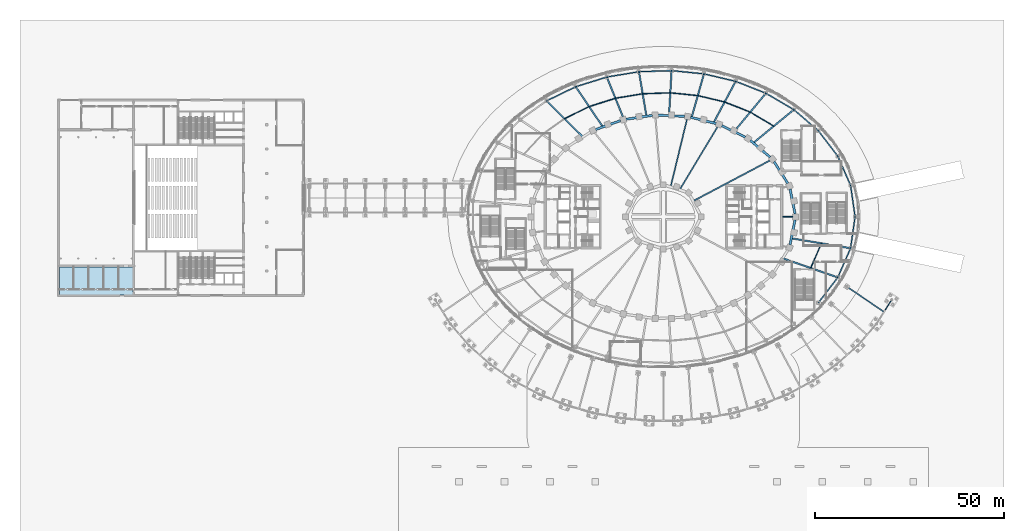
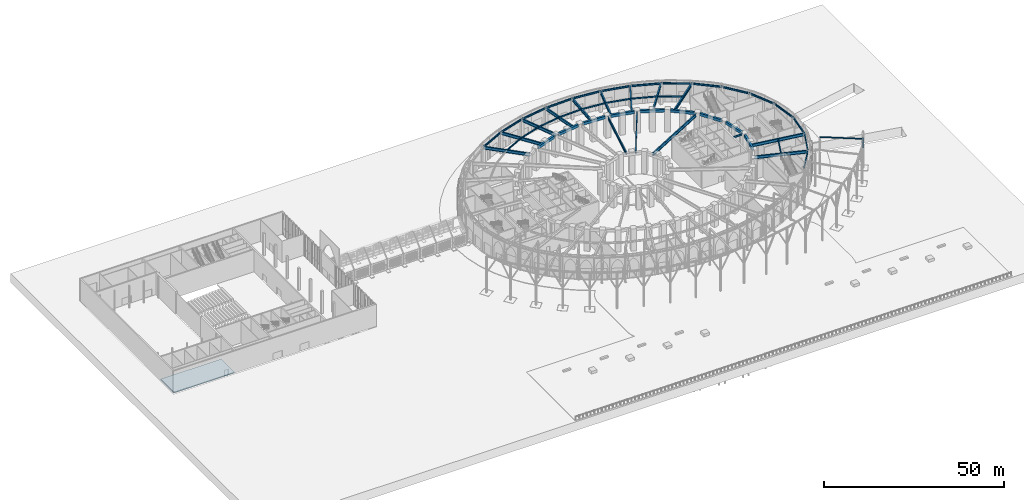
# One storey, part 32 of 79: 49 beams, 1 member, 1 slab.
"""IFC4 building model written with IfcOpenShell, lengths in metres."""

from ifc_helpers import new_model, si_unit, direction, frame, origin, origin_2d, place, context, subcontext, project, spatial, polyline, rectangle, hollow_circle, i_section, outline, extrude, material, layer, layer_set, material_profile, profile_set, type_object, element, save


model = new_model("IFC4")

# Units and contexts
model_context = context("Model", 3, precision=1e-05, world=origin(), true_north=direction((0.0, 1.0)))
body_context = subcontext(model_context, "Body", "Model", "MODEL_VIEW")
ifc_project = project(units=[si_unit("LENGTHUNIT", "METRE"), si_unit("AREAUNIT", "SQUARE_METRE"), si_unit("VOLUMEUNIT", "CUBIC_METRE"), si_unit("PLANEANGLEUNIT", "RADIAN"), si_unit("MASSUNIT", "GRAM", prefix="KILO")], contexts=[model_context])

# Site, building, storey
site_placement = place(None, origin())
site = spatial("IfcSite", under=ifc_project, at=site_placement, CompositionType="ELEMENT")
building_placement = place(site_placement, origin())
building = spatial("IfcBuilding", under=site, at=building_placement, Name="Noorbagh Ring Tower", CompositionType="ELEMENT")
storey_placement = place(building_placement, origin())
storey = spatial("IfcBuildingStorey", under=building, at=storey_placement, Name="L00", CompositionType="ELEMENT", Elevation=0.0)

# Member
ifc_material_1 = material(Name="Steel S355", Category="steel")
ifc_material_profile_1 = material_profile(ifc_material_1, hollow_circle(Radius=0.136474609375, WallThickness=0.012451171875, at=origin_2d()), Name="CHS273x12.5")
ifc_profile_set_1 = profile_set([ifc_material_profile_1], Name="Steel S355")
member_type = type_object("IfcMemberType", Name="GND-CANOPY-BRANCH", PredefinedType="BRACE", material=ifc_profile_set_1)
member_placement = place(storey_placement, frame((60.191162109375, -22.11572265625, 6.873291015625), z_axis=(-0.252065375815, -0.399302517912, 0.881487688799), x_axis=(0.845609054179, -0.533802704649, 0.0)))
element("IfcMember", 1, at=member_placement, inside=storey, type_object=member_type, Name="Canopy branch 20.1", PredefinedType="BRACE", context=body_context, shape_type="SweptSolid", body=[
    extrude(hollow_circle(Radius=0.136474609375, WallThickness=0.012451171875, at=origin_2d()), origin(), (0.0, 0.0, 1.0), 5.929443359375),
])

# Beams
ifc_material_2 = material(Name="Steel S355", Category="steel")
ifc_material_profile_2 = material_profile(ifc_material_2, i_section(OverallWidth=0.300048828125, OverallDepth=0.300048828125, WebThickness=0.010986328125, FlangeThickness=0.01904296875, FilletRadius=0.027099609375, at=origin_2d()), Name="HEB300")
ifc_profile_set_2 = profile_set([ifc_material_profile_2], Name="Steel S355")
beam_type_1 = type_object("IfcBeamType", Name="GND-CANOPY-LINK", PredefinedType="BEAM", material=ifc_profile_set_2)
beam_1_placement = place(storey_placement, frame((48.478759765625, -18.452392578125, 12.300048828125), z_axis=(0.826651628831, -0.562714034436, 0.0), x_axis=(0.562714034436, 0.826651628831, 0.0)))
element("IfcBeam", 2, at=beam_1_placement, inside=storey, type_object=beam_type_1, Name="Canopy link beam", PredefinedType="BEAM", context=body_context, shape_type="SweptSolid", body=[
    extrude(i_section(OverallWidth=0.300048828125, OverallDepth=0.300048828125, WebThickness=0.010986328125, FlangeThickness=0.01904296875, FilletRadius=0.027099609375, at=origin_2d()), origin(), (0.0, 0.0, 1.0), 11.716796875),
])
ifc_material_3 = material(Name="Steel S355", Category="steel")
ifc_material_profile_3 = material_profile(ifc_material_3, i_section(OverallWidth=0.300048828125, OverallDepth=0.60009765625, WebThickness=0.015380859375, FlangeThickness=0.030029296875, FilletRadius=0.027099609375, at=origin_2d()), Name="HEB600")
ifc_profile_set_3 = profile_set([ifc_material_profile_3], Name="Steel S355")
beam_type_2 = type_object("IfcBeamType", Name="GND-EDGE-BEAM-HEB600", PredefinedType="BEAM", material=ifc_profile_set_3)
beam_2_placement = place(storey_placement, frame((50.646484375, 0.0, 6.949951171875), z_axis=(-0.14132764164, 0.989962876934, 0.0), x_axis=(-0.989962876934, -0.14132764164, 0.0)))
element("IfcBeam", 3, at=beam_2_placement, inside=storey, type_object=beam_type_2, Name="L00/bm/ERP-01", PredefinedType="BEAM", context=body_context, shape_type="SweptSolid", body=[
    extrude(i_section(OverallWidth=0.300048828125, OverallDepth=0.60009765625, WebThickness=0.015380859375, FlangeThickness=0.030029296875, FilletRadius=0.027099609375, at=origin_2d()), origin(), (0.0, 0.0, 1.0), 8.388671875),
])
beam_3_placement = place(storey_placement, frame((49.4609375, 8.304443359375, 6.949951171875), z_axis=(-0.401171506371, 0.916002959862, 0.0), x_axis=(-0.916002959862, -0.401171506371, 0.0)))
element("IfcBeam", 4, at=beam_3_placement, inside=storey, type_object=beam_type_2, Name="L00/bm/ERP-02", PredefinedType="BEAM", context=body_context, shape_type="SweptSolid", body=[
    extrude(i_section(OverallWidth=0.300048828125, OverallDepth=0.60009765625, WebThickness=0.015380859375, FlangeThickness=0.030029296875, FilletRadius=0.027099609375, at=origin_2d()), origin(), (0.0, 0.0, 1.0), 8.42431640625),
])
beam_4_placement = place(storey_placement, frame((46.081298828125, 16.021240234375, 6.949951171875), z_axis=(-0.608048680374, 0.793899743227, 0.0), x_axis=(-0.793899743227, -0.608048680374, 0.0)))
element("IfcBeam", 5, at=beam_4_placement, inside=storey, type_object=beam_type_2, Name="L00/bm/ERP-03", PredefinedType="BEAM", context=body_context, shape_type="SweptSolid", body=[
    extrude(i_section(OverallWidth=0.300048828125, OverallDepth=0.60009765625, WebThickness=0.015380859375, FlangeThickness=0.030029296875, FilletRadius=0.027099609375, at=origin_2d()), origin(), (0.0, 0.0, 1.0), 8.4755859375),
])
beam_5_placement = place(storey_placement, frame((40.927734375, 22.75, 6.949951171875), z_axis=(-0.758254861469, 0.651958254076, 0.0), x_axis=(-0.651958254076, -0.758254861469, 0.0)))
element("IfcBeam", 6, at=beam_5_placement, inside=storey, type_object=beam_type_2, Name="L00/bm/ERP-04", PredefinedType="BEAM", context=body_context, shape_type="SweptSolid", body=[
    extrude(i_section(OverallWidth=0.300048828125, OverallDepth=0.60009765625, WebThickness=0.015380859375, FlangeThickness=0.030029296875, FilletRadius=0.027099609375, at=origin_2d()), origin(), (0.0, 0.0, 1.0), 8.5234375),
])
beam_6_placement = place(storey_placement, frame((34.46484375, 28.306884765625, 6.949951171875), z_axis=(-0.8618652907, 0.507137279922, 0.0), x_axis=(-0.507137279922, -0.8618652907, 0.0)))
element("IfcBeam", 7, at=beam_6_placement, inside=storey, type_object=beam_type_2, Name="L00/bm/ERP-05", PredefinedType="BEAM", context=body_context, shape_type="SweptSolid", body=[
    extrude(i_section(OverallWidth=0.300048828125, OverallDepth=0.60009765625, WebThickness=0.015380859375, FlangeThickness=0.030029296875, FilletRadius=0.027099609375, at=origin_2d()), origin(), (0.0, 0.0, 1.0), 8.560302734375),
])
beam_7_placement = place(storey_placement, frame((27.0869140625, 32.648193359375, 6.949951171875), z_axis=(-0.930571668723, 0.366109777758, 0.0), x_axis=(-0.366109777758, -0.930571668723, 0.0)))
element("IfcBeam", 8, at=beam_7_placement, inside=storey, type_object=beam_type_2, Name="L00/bm/ERP-06", PredefinedType="BEAM", context=body_context, shape_type="SweptSolid", body=[
    extrude(i_section(OverallWidth=0.300048828125, OverallDepth=0.60009765625, WebThickness=0.015380859375, FlangeThickness=0.030029296875, FilletRadius=0.027099609375, at=origin_2d()), origin(), (0.0, 0.0, 1.0), 8.58642578125),
])
beam_8_placement = place(storey_placement, frame((19.0966796875, 35.791748046875, 6.949951171875), z_axis=(-0.973167977411, 0.230095822957, 0.0), x_axis=(-0.230095822957, -0.973167977411, 0.0)))
element("IfcBeam", 9, at=beam_8_placement, inside=storey, type_object=beam_type_2, Name="L00/bm/ERP-07", PredefinedType="BEAM", context=body_context, shape_type="SweptSolid", body=[
    extrude(i_section(OverallWidth=0.300048828125, OverallDepth=0.60009765625, WebThickness=0.015380859375, FlangeThickness=0.030029296875, FilletRadius=0.027099609375, at=origin_2d()), origin(), (0.0, 0.0, 1.0), 8.602783203125),
])
beam_9_placement = place(storey_placement, frame((10.724609375, 37.771240234375, 6.949951171875), z_axis=(-0.9951967317, 0.097895174616, 0.0), x_axis=(-0.097895174616, -0.9951967317, 0.0)))
element("IfcBeam", 10, at=beam_9_placement, inside=storey, type_object=beam_type_2, Name="L00/bm/ERP-08", PredefinedType="BEAM", context=body_context, shape_type="SweptSolid", body=[
    extrude(i_section(OverallWidth=0.300048828125, OverallDepth=0.60009765625, WebThickness=0.015380859375, FlangeThickness=0.030029296875, FilletRadius=0.027099609375, at=origin_2d()), origin(), (0.0, 0.0, 1.0), 8.611328125),
])
beam_10_placement = place(storey_placement, frame((2.154541015625, 38.6142578125, 6.949951171875), z_axis=(-0.999468589483, -0.032596604688, 0.0), x_axis=(0.032596604688, -0.999468589483, 0.0)))
element("IfcBeam", 11, at=beam_10_placement, inside=storey, type_object=beam_type_2, Name="L00/bm/ERP-09", PredefinedType="BEAM", context=body_context, shape_type="SweptSolid", body=[
    extrude(i_section(OverallWidth=0.300048828125, OverallDepth=0.60009765625, WebThickness=0.015380859375, FlangeThickness=0.030029296875, FilletRadius=0.027099609375, at=origin_2d()), origin(), (0.0, 0.0, 1.0), 8.61328125),
])
beam_11_placement = place(storey_placement, frame((-6.4541015625, 38.33349609375, 6.949951171875), z_axis=(-0.986523163949, -0.163621658075, 0.0), x_axis=(0.163621658075, -0.986523163949, 0.0)))
element("IfcBeam", 12, at=beam_11_placement, inside=storey, type_object=beam_type_2, Name="L00/bm/ERP-10", PredefinedType="BEAM", context=body_context, shape_type="SweptSolid", body=[
    extrude(i_section(OverallWidth=0.300048828125, OverallDepth=0.60009765625, WebThickness=0.015380859375, FlangeThickness=0.030029296875, FilletRadius=0.027099609375, at=origin_2d()), origin(), (0.0, 0.0, 1.0), 8.60791015625),
])
beam_12_placement = place(storey_placement, frame((-14.946044921875, 36.925048828125, 6.949951171875), z_axis=(-0.954717204091, -0.297514806713, 0.0), x_axis=(0.297514806713, -0.954717204091, 0.0)))
element("IfcBeam", 13, at=beam_12_placement, inside=storey, type_object=beam_type_2, Name="L00/bm/ERP-11", PredefinedType="BEAM", context=body_context, shape_type="SweptSolid", body=[
    extrude(i_section(OverallWidth=0.300048828125, OverallDepth=0.60009765625, WebThickness=0.015380859375, FlangeThickness=0.030029296875, FilletRadius=0.027099609375, at=origin_2d()), origin(), (0.0, 0.0, 1.0), 8.595703125),
])
beam_13_placement = place(storey_placement, frame((-23.152587890625, 34.36767578125, 6.949951171875), z_axis=(-0.89994920641, -0.435994754421, 0.0), x_axis=(0.435994754421, -0.89994920641, 0.0)))
element("IfcBeam", 14, at=beam_13_placement, inside=storey, type_object=beam_type_2, Name="L00/bm/ERP-12", PredefinedType="BEAM", context=body_context, shape_type="SweptSolid", body=[
    extrude(i_section(OverallWidth=0.300048828125, OverallDepth=0.60009765625, WebThickness=0.015380859375, FlangeThickness=0.030029296875, FilletRadius=0.027099609375, at=origin_2d()), origin(), (0.0, 0.0, 1.0), 8.57470703125),
])
beam_14_placement = place(storey_placement, frame((40.927734375, -22.75, 6.949951171875), z_axis=(0.608048680374, 0.793899743227, 0.0), x_axis=(-0.793899743227, 0.608048680374, 0.0)))
element("IfcBeam", 15, at=beam_14_placement, inside=storey, type_object=beam_type_2, Name="L00/bm/ERP-31", PredefinedType="BEAM", context=body_context, shape_type="SweptSolid", body=[
    extrude(i_section(OverallWidth=0.300048828125, OverallDepth=0.60009765625, WebThickness=0.015380859375, FlangeThickness=0.030029296875, FilletRadius=0.027099609375, at=origin_2d()), origin(), (0.0, 0.0, 1.0), 8.4755859375),
])
beam_15_placement = place(storey_placement, frame((46.081298828125, -16.021240234375, 6.949951171875), z_axis=(0.401171506371, 0.916002959862, 0.0), x_axis=(-0.916002959862, 0.401171506371, 0.0)))
element("IfcBeam", 16, at=beam_15_placement, inside=storey, type_object=beam_type_2, Name="L00/bm/ERP-32", PredefinedType="BEAM", context=body_context, shape_type="SweptSolid", body=[
    extrude(i_section(OverallWidth=0.300048828125, OverallDepth=0.60009765625, WebThickness=0.015380859375, FlangeThickness=0.030029296875, FilletRadius=0.027099609375, at=origin_2d()), origin(), (0.0, 0.0, 1.0), 8.42431640625),
])
beam_16_placement = place(storey_placement, frame((49.4609375, -8.304443359375, 6.949951171875), z_axis=(0.14132764164, 0.989962876934, 0.0), x_axis=(-0.989962876934, 0.14132764164, 0.0)))
element("IfcBeam", 17, at=beam_16_placement, inside=storey, type_object=beam_type_2, Name="L00/bm/ERP-33", PredefinedType="BEAM", context=body_context, shape_type="SweptSolid", body=[
    extrude(i_section(OverallWidth=0.300048828125, OverallDepth=0.60009765625, WebThickness=0.015380859375, FlangeThickness=0.030029296875, FilletRadius=0.027099609375, at=origin_2d()), origin(), (0.0, 0.0, 1.0), 8.388671875),
])
ifc_material_4 = material(Name="Steel S355", Category="steel")
ifc_material_profile_4 = material_profile(ifc_material_4, i_section(OverallWidth=0.39990234375, OverallDepth=1.0, WebThickness=0.01611328125, FlangeThickness=0.0400390625, at=origin_2d()), Name="PG1000x400x16x40")
ifc_profile_set_4 = profile_set([ifc_material_profile_4], Name="Steel S355")
beam_type_3 = type_object("IfcBeamType", Name="GND-GIRDER-PG1000x400x16x40", PredefinedType="BEAM", material=ifc_profile_set_4)
beam_17_placement = place(storey_placement, frame((34.46484375, 28.306884765625, 6.75), z_axis=(-0.772763025599, -0.63469465593, 0.0), x_axis=(0.63469465593, -0.772763025599, 0.0)))
element("IfcBeam", 18, at=beam_17_placement, inside=storey, type_object=beam_type_3, Name="L00/bm/GRP-05", PredefinedType="BEAM", context=body_context, shape_type="SweptSolid", body=[
    extrude(i_section(OverallWidth=0.39990234375, OverallDepth=1.0, WebThickness=0.01611328125, FlangeThickness=0.0400390625, at=origin_2d()), origin(), (0.0, 0.0, 1.0), 13.723388671875),
])
beam_18_placement = place(storey_placement, frame((27.0869140625, 32.648193359375, 6.75), z_axis=(-0.638516852805, -0.769607840841, 0.0), x_axis=(0.769607840841, -0.638516852805, 0.0)))
element("IfcBeam", 19, at=beam_18_placement, inside=storey, type_object=beam_type_3, Name="L00/bm/GRP-06", PredefinedType="BEAM", context=body_context, shape_type="SweptSolid", body=[
    extrude(i_section(OverallWidth=0.39990234375, OverallDepth=1.0, WebThickness=0.01611328125, FlangeThickness=0.0400390625, at=origin_2d()), origin(), (0.0, 0.0, 1.0), 12.943603515625),
])
beam_19_placement = place(storey_placement, frame((19.0966796875, 35.791748046875, 6.75), z_axis=(-0.470746944877, -0.88226827773, 0.0), x_axis=(0.88226827773, -0.470746944877, 0.0)))
element("IfcBeam", 20, at=beam_19_placement, inside=storey, type_object=beam_type_3, Name="L00/bm/GRP-07", PredefinedType="BEAM", context=body_context, shape_type="SweptSolid", body=[
    extrude(i_section(OverallWidth=0.39990234375, OverallDepth=1.0, WebThickness=0.01611328125, FlangeThickness=0.0400390625, at=origin_2d()), origin(), (0.0, 0.0, 1.0), 12.375),
])
beam_20_placement = place(storey_placement, frame((10.724609375, 37.771240234375, 6.75), z_axis=(-0.273130016452, -0.961977127645, 0.0), x_axis=(0.961977127645, -0.273130016452, 0.0)))
element("IfcBeam", 21, at=beam_20_placement, inside=storey, type_object=beam_type_3, Name="L00/bm/GRP-08", PredefinedType="BEAM", context=body_context, shape_type="SweptSolid", body=[
    extrude(i_section(OverallWidth=0.39990234375, OverallDepth=1.0, WebThickness=0.01611328125, FlangeThickness=0.0400390625, at=origin_2d()), origin(), (0.0, 0.0, 1.0), 11.939208984375),
])
beam_21_placement = place(storey_placement, frame((2.154541015625, 38.6142578125, 6.75), z_axis=(-0.055716608816, -0.998446623261, 0.0), x_axis=(0.998446623261, -0.055716608816, 0.0)))
element("IfcBeam", 22, at=beam_21_placement, inside=storey, type_object=beam_type_3, Name="L00/bm/GRP-09", PredefinedType="BEAM", context=body_context, shape_type="SweptSolid", body=[
    extrude(i_section(OverallWidth=0.39990234375, OverallDepth=1.0, WebThickness=0.01611328125, FlangeThickness=0.0400390625, at=origin_2d()), origin(), (0.0, 0.0, 1.0), 11.734619140625),
])
beam_22_placement = place(storey_placement, frame((-6.4541015625, 38.33349609375, 6.75), z_axis=(0.166032765637, -0.986120236449, 0.0), x_axis=(0.986120236449, 0.166032765637, 0.0)))
element("IfcBeam", 23, at=beam_22_placement, inside=storey, type_object=beam_type_3, Name="L00/bm/GRP-10", PredefinedType="BEAM", context=body_context, shape_type="SweptSolid", body=[
    extrude(i_section(OverallWidth=0.39990234375, OverallDepth=1.0, WebThickness=0.01611328125, FlangeThickness=0.0400390625, at=origin_2d()), origin(), (0.0, 0.0, 1.0), 11.82373046875),
])
beam_23_placement = place(storey_placement, frame((-14.946044921875, 36.925048828125, 6.75), z_axis=(0.375201842514, -0.926943135998, 0.0), x_axis=(0.926943135998, 0.375201842514, 0.0)))
element("IfcBeam", 24, at=beam_23_placement, inside=storey, type_object=beam_type_3, Name="L00/bm/GRP-11", PredefinedType="BEAM", context=body_context, shape_type="SweptSolid", body=[
    extrude(i_section(OverallWidth=0.39990234375, OverallDepth=1.0, WebThickness=0.01611328125, FlangeThickness=0.0400390625, at=origin_2d()), origin(), (0.0, 0.0, 1.0), 12.094970703125),
])
beam_24_placement = place(storey_placement, frame((-23.152587890625, 34.36767578125, 6.75), z_axis=(0.558711358029, -0.829362175656, 0.0), x_axis=(0.829362175656, 0.558711358029, 0.0)))
element("IfcBeam", 25, at=beam_24_placement, inside=storey, type_object=beam_type_3, Name="L00/bm/GRP-12", PredefinedType="BEAM", context=body_context, shape_type="SweptSolid", body=[
    extrude(i_section(OverallWidth=0.39990234375, OverallDepth=1.0, WebThickness=0.01611328125, FlangeThickness=0.0400390625, at=origin_2d()), origin(), (0.0, 0.0, 1.0), 12.6630859375),
])
beam_25_placement = place(storey_placement, frame((-30.869384765625, 30.629150390625, 6.75), z_axis=(0.70986613718, -0.704336615039, 0.0), x_axis=(0.704336615039, 0.70986613718, 0.0)))
element("IfcBeam", 26, at=beam_25_placement, inside=storey, type_object=beam_type_3, Name="L00/bm/GRP-13", PredefinedType="BEAM", context=body_context, shape_type="SweptSolid", body=[
    extrude(i_section(OverallWidth=0.39990234375, OverallDepth=1.0, WebThickness=0.01611328125, FlangeThickness=0.0400390625, at=origin_2d()), origin(), (0.0, 0.0, 1.0), 13.333984375),
])
beam_26_placement = place(storey_placement, frame((46.081298828125, -16.021240234375, 6.75), z_axis=(-0.94453989429, 0.328396693185, 0.0), x_axis=(-0.328396693185, -0.94453989429, 0.0)))
element("IfcBeam", 27, at=beam_26_placement, inside=storey, type_object=beam_type_3, Name="L00/bm/GRP-32", PredefinedType="BEAM", context=body_context, shape_type="SweptSolid", body=[
    extrude(i_section(OverallWidth=0.39990234375, OverallDepth=1.0, WebThickness=0.01611328125, FlangeThickness=0.0400390625, at=origin_2d()), origin(), (0.0, 0.0, 1.0), 15.12890625),
])
beam_27_placement = place(storey_placement, frame((49.4609375, -8.304443359375, 6.75), z_axis=(-0.986194768087, 0.165589490602, 0.0), x_axis=(-0.165589490602, -0.986194768087, 0.0)))
element("IfcBeam", 28, at=beam_27_placement, inside=storey, type_object=beam_type_3, Name="L00/bm/GRP-33", PredefinedType="BEAM", context=body_context, shape_type="SweptSolid", body=[
    extrude(i_section(OverallWidth=0.39990234375, OverallDepth=1.0, WebThickness=0.01611328125, FlangeThickness=0.0400390625, at=origin_2d()), origin(), (0.0, 0.0, 1.0), 15.62841796875),
])
ifc_material_5 = material(Name="Steel S355", Category="steel")
ifc_material_profile_5 = material_profile(ifc_material_5, i_section(OverallWidth=0.199951171875, OverallDepth=0.5, WebThickness=0.01025390625, FlangeThickness=0.01611328125, FilletRadius=0.02099609375, at=origin_2d()), Name="IPE500")
ifc_profile_set_5 = profile_set([ifc_material_profile_5], Name="Steel S355")
beam_type_4 = type_object("IfcBeamType", Name="GND-MID-BEAM-IPE500", PredefinedType="JOIST", material=ifc_profile_set_5)
beam_28_placement = place(storey_placement, frame((29.162353515625, 23.951904296875, 7.0), z_axis=(-0.858046251749, 0.513572419293, 0.0), x_axis=(-0.513572419293, -0.858046251749, 0.0)))
element("IfcBeam", 29, at=beam_28_placement, inside=storey, type_object=beam_type_4, Name="L00/bm/MRP-05", PredefinedType="JOIST", context=body_context, shape_type="SweptSolid", body=[
    extrude(i_section(OverallWidth=0.199951171875, OverallDepth=0.5, WebThickness=0.01025390625, FlangeThickness=0.01611328125, FilletRadius=0.02099609375, at=origin_2d()), origin(), (0.0, 0.0, 1.0), 7.23486328125),
])
beam_29_placement = place(storey_placement, frame((22.95458984375, 27.66748046875, 7.0), z_axis=(-0.930496782909, 0.36630006415, 0.0), x_axis=(-0.36630006415, -0.930496782909, 0.0)))
element("IfcBeam", 30, at=beam_29_placement, inside=storey, type_object=beam_type_4, Name="L00/bm/MRP-06", PredefinedType="JOIST", context=body_context, shape_type="SweptSolid", body=[
    extrude(i_section(OverallWidth=0.199951171875, OverallDepth=0.5, WebThickness=0.01025390625, FlangeThickness=0.01611328125, FilletRadius=0.02099609375, at=origin_2d()), origin(), (0.0, 0.0, 1.0), 7.276123046875),
])
beam_30_placement = place(storey_placement, frame((16.18408203125, 30.332763671875, 7.0), z_axis=(-0.972568186564, 0.23261797541, 0.0), x_axis=(-0.23261797541, -0.972568186564, 0.0)))
element("IfcBeam", 31, at=beam_30_placement, inside=storey, type_object=beam_type_4, Name="L00/bm/MRP-07", PredefinedType="JOIST", context=body_context, shape_type="SweptSolid", body=[
    extrude(i_section(OverallWidth=0.199951171875, OverallDepth=0.5, WebThickness=0.01025390625, FlangeThickness=0.01611328125, FilletRadius=0.02099609375, at=origin_2d()), origin(), (0.0, 0.0, 1.0), 7.2900390625),
])
beam_31_placement = place(storey_placement, frame((9.093994140625, 32.028564453125, 7.0), z_axis=(-0.99502493545, 0.099626190493, 0.0), x_axis=(-0.099626190493, -0.99502493545, 0.0)))
element("IfcBeam", 32, at=beam_31_placement, inside=storey, type_object=beam_type_4, Name="L00/bm/MRP-08", PredefinedType="JOIST", context=body_context, shape_type="SweptSolid", body=[
    extrude(i_section(OverallWidth=0.199951171875, OverallDepth=0.5, WebThickness=0.01025390625, FlangeThickness=0.01611328125, FilletRadius=0.02099609375, at=origin_2d()), origin(), (0.0, 0.0, 1.0), 7.302734375),
])
beam_32_placement = place(storey_placement, frame((1.82763671875, 32.756103515625, 7.0), z_axis=(-0.999402620435, -0.034560125398, 0.0), x_axis=(0.034560125398, -0.999402620435, 0.0)))
element("IfcBeam", 33, at=beam_32_placement, inside=storey, type_object=beam_type_4, Name="L00/bm/MRP-09", PredefinedType="JOIST", context=body_context, shape_type="SweptSolid", body=[
    extrude(i_section(OverallWidth=0.199951171875, OverallDepth=0.5, WebThickness=0.01025390625, FlangeThickness=0.01611328125, FilletRadius=0.02099609375, at=origin_2d()), origin(), (0.0, 0.0, 1.0), 7.304443359375),
])
beam_33_placement = place(storey_placement, frame((-5.472412109375, 32.503662109375, 7.0), z_axis=(-0.986756598534, -0.162207938309, 0.0), x_axis=(0.162207938309, -0.986756598534, 0.0)))
element("IfcBeam", 34, at=beam_33_placement, inside=storey, type_object=beam_type_4, Name="L00/bm/MRP-10", PredefinedType="JOIST", context=body_context, shape_type="SweptSolid", body=[
    extrude(i_section(OverallWidth=0.199951171875, OverallDepth=0.5, WebThickness=0.01025390625, FlangeThickness=0.01611328125, FilletRadius=0.02099609375, at=origin_2d()), origin(), (0.0, 0.0, 1.0), 7.30126953125),
])
beam_34_placement = place(storey_placement, frame((-12.677001953125, 31.3193359375, 7.0), z_axis=(-0.9531202752, -0.302591706765, 0.0), x_axis=(0.302591706765, -0.9531202752, 0.0)))
element("IfcBeam", 35, at=beam_34_placement, inside=storey, type_object=beam_type_4, Name="L00/bm/MRP-11", PredefinedType="JOIST", context=body_context, shape_type="SweptSolid", body=[
    extrude(i_section(OverallWidth=0.199951171875, OverallDepth=0.5, WebThickness=0.01025390625, FlangeThickness=0.01611328125, FilletRadius=0.02099609375, at=origin_2d()), origin(), (0.0, 0.0, 1.0), 7.279296875),
])
beam_35_placement = place(storey_placement, frame((-19.614990234375, 29.11669921875, 7.0), z_axis=(-0.898658812704, -0.438648308271, 0.0), x_axis=(0.438648308271, -0.898658812704, 0.0)))
element("IfcBeam", 36, at=beam_35_placement, inside=storey, type_object=beam_type_4, Name="L00/bm/MRP-12", PredefinedType="JOIST", context=body_context, shape_type="SweptSolid", body=[
    extrude(i_section(OverallWidth=0.199951171875, OverallDepth=0.5, WebThickness=0.01025390625, FlangeThickness=0.01611328125, FilletRadius=0.02099609375, at=origin_2d()), origin(), (0.0, 0.0, 1.0), 7.257080078125),
])
beam_36_placement = place(storey_placement, frame((38.936279296875, -13.537109375, 7.0), z_axis=(0.396441936779, 0.918059796943, 0.0), x_axis=(-0.918059796943, 0.396441936779, 0.0)))
element("IfcBeam", 37, at=beam_36_placement, inside=storey, type_object=beam_type_4, Name="L00/bm/MRP-32", PredefinedType="JOIST", context=body_context, shape_type="SweptSolid", body=[
    extrude(i_section(OverallWidth=0.199951171875, OverallDepth=0.5, WebThickness=0.01025390625, FlangeThickness=0.01611328125, FilletRadius=0.02099609375, at=origin_2d()), origin(), (0.0, 0.0, 1.0), 7.109130859375),
])
ifc_material_6 = material(Name="Steel S355", Category="steel")
ifc_material_profile_6 = material_profile(ifc_material_6, i_section(OverallWidth=0.219970703125, OverallDepth=0.60009765625, WebThickness=0.011962890625, FlangeThickness=0.01904296875, FilletRadius=0.02392578125, at=origin_2d()), Name="IPE600")
ifc_profile_set_6 = profile_set([ifc_material_profile_6], Name="Steel S355")
beam_type_5 = type_object("IfcBeamType", Name="STR-RAD-IPE600", PredefinedType="BEAM", material=ifc_profile_set_6)
beam_37_placement = place(storey_placement, frame((34.164794921875, 0.0, 6.949951171875), z_axis=(-1.0, 0.0, 0.0), x_axis=(0.0, -1.0, 0.0)))
element("IfcBeam", 38, at=beam_37_placement, inside=storey, type_object=beam_type_5, Name="L00/bm/RD01", PredefinedType="BEAM", context=body_context, shape_type="SweptSolid", body=[
    extrude(i_section(OverallWidth=0.219970703125, OverallDepth=0.60009765625, WebThickness=0.011962890625, FlangeThickness=0.01904296875, FilletRadius=0.02392578125, at=origin_2d()), origin(), (0.0, 0.0, 1.0), 2.684814453125),
])
ifc_material_7 = material(Name="Steel S355", Category="steel")
ifc_material_profile_7 = material_profile(ifc_material_7, i_section(OverallWidth=0.35009765625, OverallDepth=1.050048828125, WebThickness=0.01806640625, FlangeThickness=0.033935546875, at=origin_2d()), Name="PG1050x350x18x34")
ifc_profile_set_7 = profile_set([ifc_material_profile_7], Name="Steel S355")
beam_type_6 = type_object("IfcBeamType", Name="STR-RAD-PG1050x350x18x34", PredefinedType="BEAM", material=ifc_profile_set_7)
beam_38_placement = place(storey_placement, frame((28.108642578125, 14.855224609375, 6.72509765625), z_axis=(-0.884121906441, -0.467256304988, 0.0), x_axis=(0.467256304988, -0.884121906441, 0.0)))
element("IfcBeam", 39, at=beam_38_placement, inside=storey, type_object=beam_type_6, Name="L00/bm/RD05", PredefinedType="BEAM", context=body_context, shape_type="SweptSolid", body=[
    extrude(i_section(OverallWidth=0.35009765625, OverallDepth=1.050048828125, WebThickness=0.01806640625, FlangeThickness=0.033935546875, at=origin_2d()), origin(), (0.0, 0.0, 1.0), 22.601806640625),
])
ifc_material_8 = material(Name="Steel S355", Category="steel")
ifc_material_profile_8 = material_profile(ifc_material_8, i_section(OverallWidth=0.320068359375, OverallDepth=0.949951171875, WebThickness=0.01611328125, FlangeThickness=0.030029296875, at=origin_2d()), Name="PG950x320x16x30")
ifc_profile_set_8 = profile_set([ifc_material_profile_8], Name="Steel S355")
beam_type_7 = type_object("IfcBeamType", Name="STR-RAD-PG950x320x16x30", PredefinedType="BEAM", material=ifc_profile_set_8)
beam_39_placement = place(storey_placement, frame((14.29931640625, 23.759033203125, 6.77490234375), z_axis=(-0.515655762899, -0.856795853275, 0.0), x_axis=(0.856795853275, -0.515655762899, 0.0)))
element("IfcBeam", 40, at=beam_39_placement, inside=storey, type_object=beam_type_7, Name="L00/bm/RD09", PredefinedType="BEAM", context=body_context, shape_type="SweptSolid", body=[
    extrude(i_section(OverallWidth=0.320068359375, OverallDepth=0.949951171875, WebThickness=0.01611328125, FlangeThickness=0.030029296875, at=origin_2d()), origin(), (0.0, 0.0, 1.0), 19.0888671875),
])
beam_40_placement = place(storey_placement, frame((6.22509765625, 25.729248046875, 6.77490234375), z_axis=(-0.235155855534, -0.971957675832, 0.0), x_axis=(0.971957675832, -0.235155855534, 0.0)))
element("IfcBeam", 41, at=beam_40_placement, inside=storey, type_object=beam_type_7, Name="L00/bm/RD11", PredefinedType="BEAM", context=body_context, shape_type="SweptSolid", body=[
    extrude(i_section(OverallWidth=0.320068359375, OverallDepth=0.949951171875, WebThickness=0.01611328125, FlangeThickness=0.030029296875, at=origin_2d()), origin(), (0.0, 0.0, 1.0), 18.029541015625),
])
ifc_material_9 = material(Name="Concrete C40/50", Category="concrete")
ifc_material_profile_9 = material_profile(ifc_material_9, rectangle(XDim=0.60009765625, YDim=0.89990234375, at=origin_2d()), Name="RC600x900")
ifc_profile_set_9 = profile_set([ifc_material_profile_9], Name="Concrete C40/50")
beam_type_8 = type_object("IfcBeamType", Name="STR-SB-RC600x900-C40-50", PredefinedType="BEAM", material=ifc_profile_set_9)
beam_41_placement = place(storey_placement, frame((34.78759765625, 0.7802734375, 6.800048828125), z_axis=(-0.197212569156, 0.980360751238, 0.0), x_axis=(-0.980360751238, -0.197212569156, 0.0)))
element("IfcBeam", 42, at=beam_41_placement, inside=storey, type_object=beam_type_8, Name="L00/bm/SP01", PredefinedType="BEAM", context=body_context, shape_type="SweptSolid", body=[
    extrude(rectangle(XDim=0.60009765625, YDim=0.89990234375, at=origin_2d()), origin(), (0.0, 0.0, 1.0), 6.72216796875),
])
beam_42_placement = place(storey_placement, frame((32.881103515625, 8.81884765625, 6.800048828125), z_axis=(-0.535204111644, 0.844722770428, 0.0), x_axis=(-0.844722770428, -0.535204111644, 0.0)))
element("IfcBeam", 43, at=beam_42_placement, inside=storey, type_object=beam_type_8, Name="L00/bm/SP03", PredefinedType="BEAM", context=body_context, shape_type="SweptSolid", body=[
    extrude(rectangle(XDim=0.60009765625, YDim=0.89990234375, at=origin_2d()), origin(), (0.0, 0.0, 1.0), 6.800048828125),
])
beam_43_placement = place(storey_placement, frame((28.21728515625, 15.739990234375, 6.800048828125), z_axis=(-0.763029833708, 0.646363266957, 0.0), x_axis=(-0.646363266957, -0.763029833708, 0.0)))
element("IfcBeam", 44, at=beam_43_placement, inside=storey, type_object=beam_type_8, Name="L00/bm/SP05", PredefinedType="BEAM", context=body_context, shape_type="SweptSolid", body=[
    extrude(rectangle(XDim=0.60009765625, YDim=0.89990234375, at=origin_2d()), origin(), (0.0, 0.0, 1.0), 6.886962890625),
])
beam_44_placement = place(storey_placement, frame((21.65625, 21.044921875, 6.800048828125), z_axis=(-0.898397301801, 0.439183661031, 0.0), x_axis=(-0.439183661031, -0.898397301801, 0.0)))
element("IfcBeam", 45, at=beam_44_placement, inside=storey, type_object=beam_type_8, Name="L00/bm/SP07", PredefinedType="BEAM", context=body_context, shape_type="SweptSolid", body=[
    extrude(rectangle(XDim=0.60009765625, YDim=0.89990234375, at=origin_2d()), origin(), (0.0, 0.0, 1.0), 6.947509765625),
])
beam_45_placement = place(storey_placement, frame((13.9482421875, 24.62890625, 6.800048828125), z_axis=(-0.970827667704, 0.239778313491, 0.0), x_axis=(-0.239778313491, -0.970827667704, 0.0)))
element("IfcBeam", 46, at=beam_45_placement, inside=storey, type_object=beam_type_8, Name="L00/bm/SP09", PredefinedType="BEAM", context=body_context, shape_type="SweptSolid", body=[
    extrude(rectangle(XDim=0.60009765625, YDim=0.89990234375, at=origin_2d()), origin(), (0.0, 0.0, 1.0), 6.981689453125),
])
beam_46_placement = place(storey_placement, frame((5.62646484375, 26.528076171875, 6.800048828125), z_axis=(-0.998867742854, 0.047573440964, 0.0), x_axis=(-0.047573440964, -0.998867742854, 0.0)))
element("IfcBeam", 47, at=beam_46_placement, inside=storey, type_object=beam_type_8, Name="L00/bm/SP11", PredefinedType="BEAM", context=body_context, shape_type="SweptSolid", body=[
    extrude(rectangle(XDim=0.60009765625, YDim=0.89990234375, at=origin_2d()), origin(), (0.0, 0.0, 1.0), 6.99462890625),
])
beam_47_placement = place(storey_placement, frame((-2.9189453125, 26.785888671875, 6.800048828125), z_axis=(-0.989714845194, -0.143054273623, 0.0), x_axis=(0.143054273623, -0.989714845194, 0.0)))
element("IfcBeam", 48, at=beam_47_placement, inside=storey, type_object=beam_type_8, Name="L00/bm/SP13", PredefinedType="BEAM", context=body_context, shape_type="SweptSolid", body=[
    extrude(rectangle(XDim=0.60009765625, YDim=0.89990234375, at=origin_2d()), origin(), (0.0, 0.0, 1.0), 6.990234375),
])
beam_48_placement = place(storey_placement, frame((-11.351318359375, 25.408203125, 6.800048828125), z_axis=(-0.941030272182, -0.338322371175, 0.0), x_axis=(0.338322371175, -0.941030272182, 0.0)))
element("IfcBeam", 49, at=beam_48_placement, inside=storey, type_object=beam_type_8, Name="L00/bm/SP15", PredefinedType="BEAM", context=body_context, shape_type="SweptSolid", body=[
    extrude(rectangle(XDim=0.60009765625, YDim=0.89990234375, at=origin_2d()), origin(), (0.0, 0.0, 1.0), 6.96728515625),
])
beam_49_placement = place(storey_placement, frame((33.4619140625, -7.370361328125, 6.800048828125), z_axis=(0.197212569156, 0.980360751238, 0.0), x_axis=(-0.980360751238, 0.197212569156, 0.0)))
element("IfcBeam", 50, at=beam_49_placement, inside=storey, type_object=beam_type_8, Name="L00/bm/SP45", PredefinedType="BEAM", context=body_context, shape_type="SweptSolid", body=[
    extrude(rectangle(XDim=0.60009765625, YDim=0.89990234375, at=origin_2d()), origin(), (0.0, 0.0, 1.0), 6.72216796875),
])

# Slab
ifc_material_10 = material(Name="Concrete C40/50", Category="concrete")
ifc_layer = layer(ifc_material_10, 0.300048828125)
ifc_layer_set = layer_set([ifc_layer], Name="Concrete C40/50")
slab_type = type_object("IfcSlabType", Name="TH-SLAB-FLOOR", PredefinedType="FLOOR", material=ifc_layer_set)
slab_placement = place(storey_placement, frame((0.0, 0.0, -0.300048828125)))
element("IfcSlab", 51, at=slab_placement, inside=storey, type_object=slab_type, Name="Floor slab", PredefinedType="FLOOR", context=body_context, shape_type="SweptSolid", body=[
    extrude(outline(polyline([(-140.199951171875, -20.60009765625), (-140.199951171875, -13.199951171875), (-159.60009765625, -13.199951171875), (-159.60009765625, -20.60009765625), (-140.199951171875, -20.60009765625)])), origin(), (0.0, 0.0, 1.0), 0.300048828125),
])

save(model, "model.ifc")
